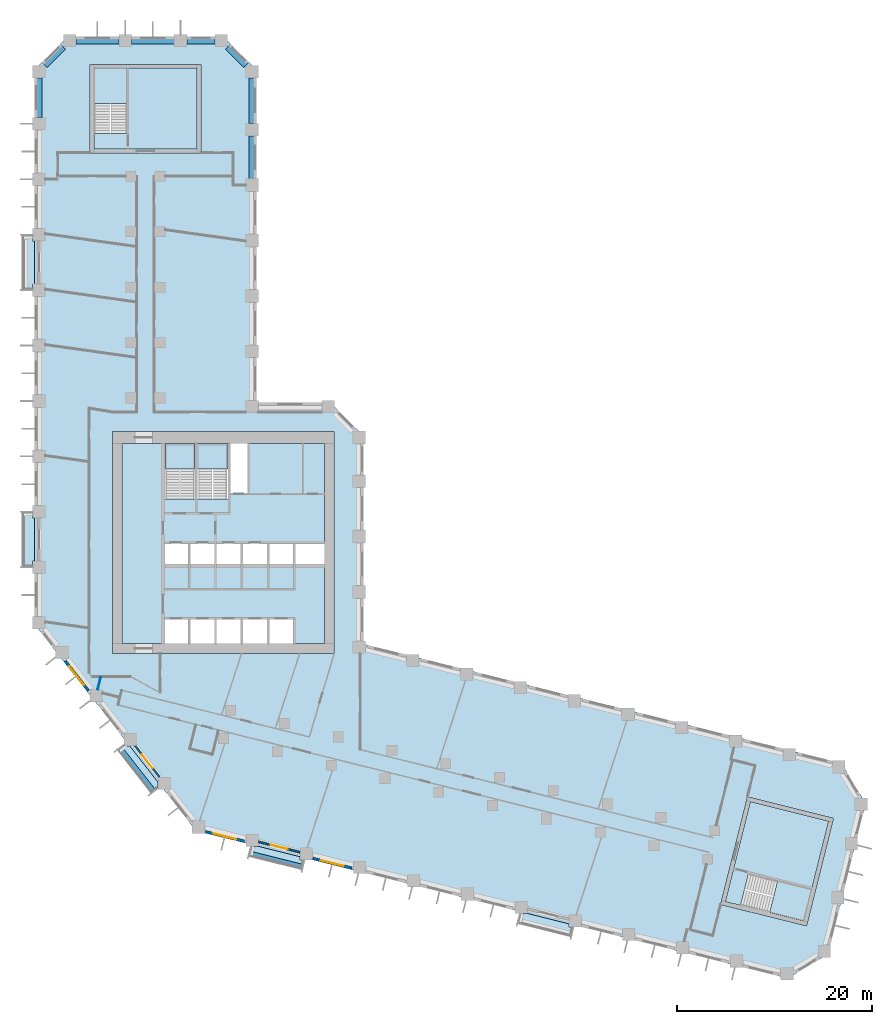
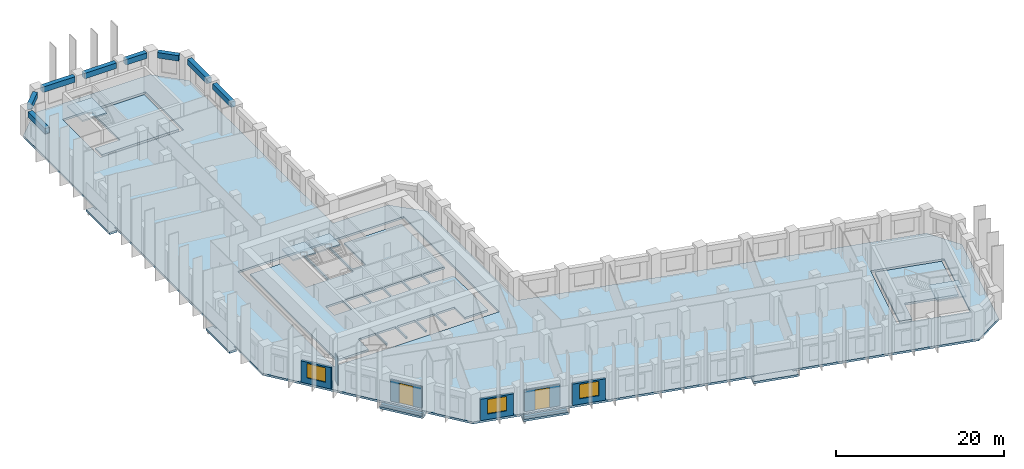
# One storey, part 2 of 11: 13 slabs, 8 beams, 8 walls, 3 windows, 2 doors, 5 openings, 4 elements without a shape of their own.
"""IFC4 building model written with IfcOpenShell, lengths in metres."""

from ifc_helpers import new_model, si_unit, direction, frame, frame_2d, origin, origin_2d, place, context, subcontext, project, spatial, polyline, rectangle, outline, extrude, material, layer, layer_set, material_profile, profile_set, type_object, element, fill, aggregate, save


model = new_model("IFC4")

# Units and contexts
model_context = context("Model", 3, precision=1e-05, world=origin(), true_north=direction((0.0, 1.0)))
body_context = subcontext(model_context, "Body", "Model", "MODEL_VIEW")
ifc_project = project(units=[si_unit("LENGTHUNIT", "METRE"), si_unit("AREAUNIT", "SQUARE_METRE"), si_unit("VOLUMEUNIT", "CUBIC_METRE"), si_unit("PLANEANGLEUNIT", "RADIAN"), si_unit("MASSUNIT", "GRAM", prefix="KILO")], contexts=[model_context])

# Site, building, storey
site_placement = place(None, origin())
site = spatial("IfcSite", under=ifc_project, at=site_placement, CompositionType="ELEMENT")
building_placement = place(site_placement, origin())
building = spatial("IfcBuilding", under=site, at=building_placement, Name="Meshkara Civic Tower", CompositionType="ELEMENT")
storey_placement = place(building_placement, frame((0.0, 0.0, 147.60009765625)))
storey = spatial("IfcBuildingStorey", under=building, at=storey_placement, Name="L33", CompositionType="ELEMENT", Elevation=147.60009765625)

# Beams
ifc_material_1 = material(Name="Concrete C70", Category="concrete")
ifc_material_profile = material_profile(ifc_material_1, rectangle(XDim=0.60009765625, YDim=0.800048828125, at=origin_2d()))
ifc_profile_set = profile_set([ifc_material_profile], Name="Concrete C70")
beam_type = type_object("IfcBeamType", Name="Spandrel beam RC 600x800 C70", PredefinedType="BEAM", material=ifc_profile_set)
beam_1_placement = place(storey_placement, frame((22.35009765625, 62.89501953125, 3.5), z_axis=(0.0, 1.0, 0.0), x_axis=(-1.0, 0.0, 0.0)))
element("IfcBeam", 1, at=beam_1_placement, inside=storey, type_object=beam_type, Name="Spandrel beam AE04-AE05", PredefinedType="BEAM", context=body_context, shape_type="SweptSolid", body=[
    extrude(rectangle(XDim=0.60009765625, YDim=0.800048828125, at=origin_2d()), origin(), (0.0, 0.0, 1.0), 4.409912109375),
])
beam_2_placement = place(storey_placement, frame((22.35009765625, 68.594970703125, 3.5), z_axis=(0.0, 1.0, 0.0), x_axis=(-1.0, 0.0, 0.0)))
element("IfcBeam", 2, at=beam_2_placement, inside=storey, type_object=beam_type, Name="Spandrel beam AE05-AEEP1", PredefinedType="BEAM", context=body_context, shape_type="SweptSolid", body=[
    extrude(rectangle(XDim=0.60009765625, YDim=0.800048828125, at=origin_2d()), origin(), (0.0, 0.0, 1.0), 4.674072265625),
])
beam_3_placement = place(storey_placement, frame((21.70361328125, 74.560546875, 3.5), z_axis=(-0.707106781187, 0.707106781187, 0.0), x_axis=(-0.707106781187, -0.707106781187, 0.0)))
element("IfcBeam", 3, at=beam_3_placement, inside=storey, type_object=beam_type, Name="Spandrel beam AEEP1-ATiEP1", PredefinedType="BEAM", context=body_context, shape_type="SweptSolid", body=[
    extrude(rectangle(XDim=0.60009765625, YDim=0.800048828125, at=origin_2d()), origin(), (0.0, 0.0, 1.0), 2.634765625),
])
beam_4_placement = place(storey_placement, frame((18.549072265625, 77.070068359375, 3.5), z_axis=(-1.0, 0.0, 0.0), x_axis=(0.0, -1.0, 0.0)))
element("IfcBeam", 4, at=beam_4_placement, inside=storey, type_object=beam_type, Name="Spandrel beam AT02-P1-ATiEP1", PredefinedType="BEAM", context=body_context, shape_type="SweptSolid", body=[
    extrude(rectangle(XDim=0.60009765625, YDim=0.800048828125, at=origin_2d()), origin(), (0.0, 0.0, 1.0), 2.898193359375),
])
beam_5_placement = place(storey_placement, frame((14.361083984375, 77.070068359375, 3.5), z_axis=(-1.0, 0.0, 0.0), x_axis=(0.0, -1.0, 0.0)))
element("IfcBeam", 5, at=beam_5_placement, inside=storey, type_object=beam_type, Name="Spandrel beam AT01-P1-AT02-P1", PredefinedType="BEAM", context=body_context, shape_type="SweptSolid", body=[
    extrude(rectangle(XDim=0.60009765625, YDim=0.800048828125, at=origin_2d()), origin(), (0.0, 0.0, 1.0), 4.41015625),
])
beam_6_placement = place(storey_placement, frame((8.660888671875, 77.070068359375, 3.5), z_axis=(-1.0, 0.0, 0.0), x_axis=(0.0, -1.0, 0.0)))
element("IfcBeam", 6, at=beam_6_placement, inside=storey, type_object=beam_type, Name="Spandrel beam AT00-P1-AT01-P1", PredefinedType="BEAM", context=body_context, shape_type="SweptSolid", body=[
    extrude(rectangle(XDim=0.60009765625, YDim=0.800048828125, at=origin_2d()), origin(), (0.0, 0.0, 1.0), 4.409912109375),
])
beam_7_placement = place(storey_placement, frame((2.95947265625, 76.423583984375, 3.5), z_axis=(-0.707106781187, -0.707106781187, 0.0), x_axis=(0.707106781187, -0.707106781187, 0.0)))
element("IfcBeam", 7, at=beam_7_placement, inside=storey, type_object=beam_type, Name="Spandrel beam AT00-P1-ATo00-P1", PredefinedType="BEAM", context=body_context, shape_type="SweptSolid", body=[
    extrude(rectangle(XDim=0.60009765625, YDim=0.800048828125, at=origin_2d()), origin(), (0.0, 0.0, 1.0), 2.634765625),
])
beam_8_placement = place(storey_placement, frame((0.449951171875, 73.26904296875, 3.5), z_axis=(0.0, -1.0, 0.0), x_axis=(1.0, 0.0, 0.0)))
element("IfcBeam", 8, at=beam_8_placement, inside=storey, type_object=beam_type, Name="Spandrel beam ATo00-P1-AW09", PredefinedType="BEAM", context=body_context, shape_type="SweptSolid", body=[
    extrude(rectangle(XDim=0.60009765625, YDim=0.800048828125, at=origin_2d()), origin(), (0.0, 0.0, 1.0), 4.069091796875),
])

# Slabs
ifc_material_2 = material(Name="Concrete C40", Category="concrete")
ifc_layer_1 = layer(ifc_material_2, 0.300048828125)
ifc_layer_set_1 = layer_set([ifc_layer_1], Name="BALCONY SLAB")
slab_type_1 = type_object("IfcSlabType", Name="BALCONY SLAB", PredefinedType="FLOOR", material=ifc_layer_set_1)
slab_1_placement = place(storey_placement, frame((0.0, 0.0, -0.300048828125)))
element("IfcSlab", 9, at=slab_1_placement, inside=storey, type_object=slab_type_1, Name="Balcony slab", PredefinedType="FLOOR", context=body_context, shape_type="SweptSolid", body=[
    extrude(outline(polyline([(-1.199951171875, 51.514892578125), (-1.199951171875, 57.094970703125), (-0.199951171875, 57.094970703125), (-0.199951171875, 56.5048828125), (0.0, 56.5048828125), (0.0, 52.10498046875), (-0.199951171875, 52.10498046875), (-0.199951171875, 51.514892578125), (-1.199951171875, 51.514892578125)])), origin(), (0.0, 0.0, 1.0), 0.300048828125),
])
slab_2_placement = place(storey_placement, frame((0.0, 0.0, -0.300048828125)))
element("IfcSlab", 10, at=slab_2_placement, inside=storey, type_object=slab_type_1, Name="Balcony slab", PredefinedType="FLOOR", context=body_context, shape_type="SweptSolid", body=[
    extrude(outline(polyline([(-1.199951171875, 23.014892578125), (-1.199951171875, 28.594970703125), (-0.199951171875, 28.594970703125), (-0.199951171875, 28.0048828125), (0.0, 28.0048828125), (0.0, 23.60498046875), (-0.199951171875, 23.60498046875), (-0.199951171875, 23.014892578125), (-1.199951171875, 23.014892578125)])), origin(), (0.0, 0.0, 1.0), 0.300048828125),
])
slab_3_placement = place(storey_placement, frame((0.0, 0.0, -0.300048828125)))
element("IfcSlab", 11, at=slab_3_placement, inside=storey, type_object=slab_type_1, Name="Balcony slab", PredefinedType="FLOOR", context=body_context, shape_type="SweptSolid", body=[
    extrude(outline(polyline([(12.0048828125, -0.215087890625), (8.570068359375, 4.181884765625), (9.18310546875, 4.660888671875), (9.18310546875, 4.594970703125), (9.77001953125, 4.594970703125), (12.69189453125, 0.85498046875), (12.69189453125, 0.322021484375), (12.0048828125, -0.215087890625)])), origin(), (0.0, 0.0, 1.0), 0.300048828125),
])
slab_4_placement = place(storey_placement, frame((0.0, 0.0, -0.300048828125)))
element("IfcSlab", 12, at=slab_4_placement, inside=storey, type_object=slab_type_1, Name="Balcony slab", PredefinedType="FLOOR", context=body_context, shape_type="SweptSolid", body=[
    extrude(outline(polyline([(27.455078125, -8.08203125), (22.041015625, -6.73193359375), (22.281982421875, -5.76708984375), (23.031982421875, -5.76708984375), (23.031982421875, -5.742919921875), (27.261962890625, -6.797119140625), (27.261962890625, -7.14599609375), (27.68798828125, -7.14599609375), (27.455078125, -8.08203125)])), origin(), (0.0, 0.0, 1.0), 0.300048828125),
])
slab_5_placement = place(storey_placement, frame((0.0, 0.0, -0.300048828125)))
element("IfcSlab", 13, at=slab_5_placement, inside=storey, type_object=slab_type_1, Name="Balcony slab", PredefinedType="FLOOR", context=body_context, shape_type="SweptSolid", body=[
    extrude(outline(polyline([(55.10888671875, -14.97705078125), (49.694091796875, -13.626953125), (49.93505859375, -12.660888671875), (50.68505859375, -12.660888671875), (50.68505859375, -12.636962890625), (54.916015625, -13.69189453125), (54.916015625, -14.0400390625), (55.342041015625, -14.0400390625), (55.10888671875, -14.97705078125)])), origin(), (0.0, 0.0, 1.0), 0.300048828125),
])
ifc_material_3 = material(Name="Concrete C40/50", Category="concrete")
ifc_layer_2 = layer(ifc_material_3, 0.300048828125)
ifc_layer_set_2 = layer_set([ifc_layer_2], Name="Core floor slab 300 C40/50")
slab_type_2 = type_object("IfcSlabType", Name="Core floor slab 300 C40/50", PredefinedType="FLOOR", material=ifc_layer_set_2)
slab_6_placement = place(storey_placement, frame((0.0, 0.0, -0.300048828125)))
element("IfcSlab", 14, at=slab_6_placement, inside=storey, type_object=slab_type_2, Name="Core floor K", PredefinedType="FLOOR", context=body_context, shape_type="SweptSolid", body=[
    extrude(outline(polyline([(9.0, 35.699951171875), (13.39990234375, 35.699951171875), (13.39990234375, 30.00146484375), (16.5, 30.00146484375), (16.5, 35.699951171875), (16.699951171875, 35.699951171875), (16.699951171875, 30.00146484375), (19.89990234375, 30.00146484375), (19.89990234375, 35.699951171875), (20.10009765625, 35.699951171875), (20.10009765625, 30.574951171875), (21.925048828125, 30.574951171875), (21.925048828125, 35.699951171875), (29.800048828125, 35.699951171875), (29.800048828125, 25.39990234375), (26.800048828125, 25.39990234375), (26.800048828125, 23.300048828125), (29.800048828125, 23.300048828125), (29.800048828125, 15.10009765625), (26.60009765625, 15.10009765625), (26.60009765625, 17.60009765625), (24.10009765625, 17.60009765625), (24.10009765625, 15.10009765625), (23.89990234375, 15.10009765625), (23.89990234375, 17.60009765625), (21.39990234375, 17.60009765625), (21.39990234375, 15.10009765625), (21.199951171875, 15.10009765625), (21.199951171875, 17.60009765625), (18.699951171875, 17.60009765625), (18.699951171875, 15.10009765625), (18.5, 15.10009765625), (18.5, 17.60009765625), (16.0, 17.60009765625), (16.0, 15.10009765625), (15.800048828125, 15.10009765625), (15.800048828125, 17.60009765625), (13.39990234375, 17.60009765625), (13.39990234375, 15.10009765625), (9.0, 15.10009765625), (9.0, 35.699951171875)]), holes=[polyline([(15.800048828125, 23.300048828125), (15.800048828125, 25.39990234375), (13.39990234375, 25.39990234375), (13.39990234375, 23.300048828125), (15.800048828125, 23.300048828125)]), polyline([(16.0, 25.39990234375), (16.0, 23.300048828125), (18.5, 23.300048828125), (18.5, 25.39990234375), (16.0, 25.39990234375)]), polyline([(18.699951171875, 25.39990234375), (18.699951171875, 23.300048828125), (21.199951171875, 23.300048828125), (21.199951171875, 25.39990234375), (18.699951171875, 25.39990234375)]), polyline([(21.39990234375, 23.300048828125), (23.89990234375, 23.300048828125), (23.89990234375, 25.39990234375), (21.39990234375, 25.39990234375), (21.39990234375, 23.300048828125)]), polyline([(26.60009765625, 23.300048828125), (26.60009765625, 25.39990234375), (24.10009765625, 25.39990234375), (24.10009765625, 23.300048828125), (26.60009765625, 23.300048828125)])]), origin(), (0.0, 0.0, 1.0), 0.300048828125),
])
slab_7_placement = place(storey_placement, frame((0.0, 0.0, -0.300048828125)))
element("IfcSlab", 15, at=slab_7_placement, inside=storey, type_object=slab_type_2, Name="Core floor EA", PredefinedType="FLOOR", context=body_context, shape_type="SweptSolid", body=[
    extrude(outline(polyline([(16.699951171875, 65.969970703125), (16.699951171875, 74.27001953125), (9.5, 74.27001953125), (9.5, 67.571533203125), (6.10009765625, 67.571533203125), (6.10009765625, 65.969970703125), (16.699951171875, 65.969970703125)])), origin(), (0.0, 0.0, 1.0), 0.300048828125),
])
slab_8_placement = place(storey_placement, frame((0.0, 0.0, -0.300048828125)))
element("IfcSlab", 16, at=slab_8_placement, inside=storey, type_object=slab_type_2, Name="Core floor EB", PredefinedType="FLOOR", context=body_context, shape_type="SweptSolid", body=[
    extrude(outline(polyline([(73.581298828125, -1.134521484375), (81.634521484375, -3.142578125), (79.892822265625, -10.128662109375), (73.393310546875, -8.508056640625), (72.57080078125, -11.80712890625), (71.016845703125, -11.419677734375), (73.581298828125, -1.134521484375)])), origin(), (0.0, 0.0, 1.0), 0.300048828125),
])

# Stair, slab
ifc_material_4 = material(Name="Precast concrete C40/50", Category="concrete")
stair_type_1 = type_object("IfcStairType", Name="Exit stair half-turn 24 risers precast", PredefinedType="HALF_TURN_STAIR", material=ifc_material_4)
stair_1_placement = place(storey_placement, origin())
stair_1 = element("IfcStair", 17, at=stair_1_placement, inside=storey, type_object=stair_type_1, Name="L33 exit stair 1", PredefinedType="HALF_TURN_STAIR")
ifc_material_5 = material(Name="Precast concrete C40/50", Category="concrete")
ifc_layer_3 = layer(ifc_material_5, 0.199951171875)
ifc_layer_set_3 = layer_set([ifc_layer_3], Name="Exit stair landing 200")
slab_type_3 = type_object("IfcSlabType", Name="Exit stair landing 200", PredefinedType="LANDING", material=ifc_layer_set_3)
slab_9_placement = place(storey_placement, frame((0.0, 0.0, 1.89990234375)))
slab_9 = element("IfcSlab", 18, at=slab_9_placement, type_object=slab_type_3, Name="ST1 landing 1", PredefinedType="LANDING", context=body_context, shape_type="SweptSolid", body=[
    extrude(outline(polyline([(16.5, 33.07861328125), (16.5, 35.699951171875), (13.39990234375, 35.699951171875), (13.39990234375, 33.07861328125), (16.5, 33.07861328125)])), origin(), (0.0, 0.0, 1.0), 0.199951171875),
])
aggregate(stair_1, [slab_9])

stair_2_placement = place(storey_placement, origin())
stair_2 = element("IfcStair", 19, at=stair_2_placement, inside=storey, type_object=stair_type_1, Name="L33 exit stair 2", PredefinedType="HALF_TURN_STAIR")
slab_10_placement = place(storey_placement, frame((0.0, 0.0, 1.89990234375)))
slab_10 = element("IfcSlab", 20, at=slab_10_placement, type_object=slab_type_3, Name="ST2 landing 1", PredefinedType="LANDING", context=body_context, shape_type="SweptSolid", body=[
    extrude(outline(polyline([(19.89990234375, 33.07861328125), (19.89990234375, 35.699951171875), (16.699951171875, 35.699951171875), (16.699951171875, 33.07861328125), (19.89990234375, 33.07861328125)])), origin(), (0.0, 0.0, 1.0), 0.199951171875),
])
aggregate(stair_2, [slab_10])

ifc_material_6 = material(Name="Precast concrete C40/50", Category="concrete")
stair_type_2 = type_object("IfcStairType", Name="Exit stair half-turn 24 risers 1600 precast", PredefinedType="HALF_TURN_STAIR", material=ifc_material_6)
stair_3_placement = place(storey_placement, origin())
stair_3 = element("IfcStair", 21, at=stair_3_placement, inside=storey, type_object=stair_type_2, Name="L33 exit stair A from L20", PredefinedType="HALF_TURN_STAIR")
slab_11_placement = place(storey_placement, frame((0.0, 0.0, 1.89990234375)))
slab_11 = element("IfcSlab", 22, at=slab_11_placement, type_object=slab_type_3, Name="ESA2 landing 1", PredefinedType="LANDING", context=body_context, shape_type="SweptSolid", body=[
    extrude(outline(polyline([(9.5, 70.6484375), (9.5, 74.27001953125), (6.10009765625, 74.27001953125), (6.10009765625, 70.6484375), (9.5, 70.6484375)])), origin(), (0.0, 0.0, 1.0), 0.199951171875),
])
aggregate(stair_3, [slab_11])

stair_4_placement = place(storey_placement, origin())
stair_4 = element("IfcStair", 23, at=stair_4_placement, inside=storey, type_object=stair_type_2, Name="L33 exit stair B from L20", PredefinedType="HALF_TURN_STAIR")
slab_12_placement = place(storey_placement, frame((0.0, 0.0, 1.89990234375)))
slab_12 = element("IfcSlab", 24, at=slab_12_placement, type_object=slab_type_3, Name="ESB2 landing 1", PredefinedType="LANDING", context=body_context, shape_type="SweptSolid", body=[
    extrude(outline(polyline([(75.5556640625, -12.55224609375), (79.06982421875, -13.428955078125), (79.89306640625, -10.12890625), (76.379150390625, -9.25244140625), (75.5556640625, -12.55224609375)])), origin(), (0.0, 0.0, 1.0), 0.199951171875),
])
aggregate(stair_4, [slab_12])

# Slab
ifc_material_7 = material(Name="Concrete C50", Category="concrete")
ifc_layer_4 = layer(ifc_material_7, 0.300048828125)
ifc_layer_set_4 = layer_set([ifc_layer_4], Name="Post-tensioned flat slab 300 C50")
slab_type_4 = type_object("IfcSlabType", Name="Post-tensioned flat slab 300 C50", PredefinedType="FLOOR", material=ifc_layer_set_4)
slab_13_placement = place(storey_placement, frame((0.0, 0.0, -0.300048828125)))
element("IfcSlab", 25, at=slab_13_placement, inside=storey, type_object=slab_type_4, Name="Post-tensioned flat slab L33", PredefinedType="FLOOR", context=body_context, shape_type="SweptSolid", body=[
    extrude(outline(polyline([(81.574951171875, -16.81396484375), (77.429931640625, -19.304931640625), (16.592041015625, -4.136962890625), (0.0, 17.10009765625), (0.0, 74.10009765625), (3.419921875, 77.52001953125), (19.3798828125, 77.52001953125), (22.800048828125, 74.10009765625), (22.800048828125, 39.89990234375), (30.3798828125, 39.89990234375), (33.800048828125, 36.47998046875), (33.800048828125, 15.071044921875), (82.945068359375, 2.81689453125), (85.43603515625, -1.327880859375), (81.574951171875, -16.81396484375)]), holes=[polyline([(79.362060546875, -13.9130859375), (82.1201171875, -2.85107421875), (73.2900390625, -0.64990234375), (70.531982421875, -11.7109375), (79.362060546875, -13.9130859375)]), polyline([(8.0, 14.10009765625), (30.800048828125, 14.10009765625), (30.800048828125, 36.89990234375), (8.0, 36.89990234375), (8.0, 14.10009765625)]), polyline([(5.699951171875, 74.669921875), (5.699951171875, 65.570068359375), (17.10009765625, 65.570068359375), (17.10009765625, 74.669921875), (5.699951171875, 74.669921875)])]), origin(), (0.0, 0.0, 1.0), 0.300048828125),
])

# Wall, opening, window
ifc_material_8 = material(Name="Insulated infill panel with bronze anodised aluminium cladding", Category="aluminium")
ifc_layer_5 = layer(ifc_material_8, 0.300048828125)
ifc_layer_set_5 = layer_set([ifc_layer_5], Name="EXTERNAL INFILL WALL 300")
wall_type_1 = type_object("IfcWallType", Name="EXTERNAL INFILL WALL 300", PredefinedType="SOLIDWALL", material=ifc_layer_set_5)
wall_1_placement = place(storey_placement, frame((3.138916015625, 13.324951171875, 0.0), z_axis=(0.0, 0.0, 1.0), x_axis=(0.615779754703, -0.787918329332, 0.0)))
wall_1 = element("IfcWall", 26, at=wall_1_placement, inside=storey, type_object=wall_type_1, Name="External wall", PredefinedType="SOLIDWALL", context=body_context, shape_type="SweptSolid", body=[
    extrude(rectangle(XDim=3.874755859375, YDim=0.300048828125, at=frame_2d((1.9375, 0.0))), origin(), (0.0, 0.0, 1.0), 3.099853515625),
])
opening_1_placement = place(wall_1_placement, frame((0.738037109375, 0.0, 0.800048828125)))
opening_1 = element("IfcOpeningElement", 27, at=opening_1_placement, cuts=wall_1, Name="Opening W7", PredefinedType="OPENING", context=body_context, shape_type="SweptSolid", body=[
    extrude(rectangle(XDim=2.39990234375, YDim=2.10009765625, at=frame_2d((1.199951171875, 1.050048828125))), frame((0.0, 0.159912109375, 0.0), z_axis=(0.0, -1.0, 0.0), x_axis=(1.0, 0.0, 0.0)), (0.0, 0.0, 1.0), 0.320068359375),
])
ifc_material_9 = material(Name="Tinted double glazing", Category="glass")
window_type = type_object("IfcWindowType", Name="WINDOW 2400x2100", PartitioningType="DOUBLE_PANEL_VERTICAL", PredefinedType="WINDOW", material=ifc_material_9)
window_1_placement = place(opening_1_placement, origin())
window_1 = element("IfcWindow", 28, at=window_1_placement, inside=storey, type_object=window_type, Name="Window", OverallHeight=2.10009765625, OverallWidth=2.39990234375, PartitioningType="DOUBLE_PANEL_VERTICAL", PredefinedType="WINDOW", context=body_context, shape_type="SweptSolid", body=[
    extrude(rectangle(XDim=2.39990234375, YDim=2.10009765625, at=frame_2d((1.199951171875, 1.050048828125))), frame((0.0, 0.030029296875, 0.0), z_axis=(0.0, -1.0, 0.0), x_axis=(1.0, 0.0, 0.0)), (0.0, 0.0, 1.0), 0.06005859375),
])
fill(opening_1, window_1)

wall_2_placement = place(storey_placement, frame((17.54296875, -4.219970703125, 0.0), z_axis=(0.0, 0.0, 1.0), x_axis=(0.970337184445, -0.241755555227, 0.0)))
wall_2 = element("IfcWall", 29, at=wall_2_placement, inside=storey, type_object=wall_type_1, Name="External wall", PredefinedType="SOLIDWALL", context=body_context, shape_type="SweptSolid", body=[
    extrude(rectangle(XDim=4.124267578125, YDim=0.300048828125, at=frame_2d((2.06201171875, 0.0))), origin(), (0.0, 0.0, 1.0), 3.099853515625),
])
opening_2_placement = place(wall_2_placement, frame((0.862060546875, 0.0, 0.800048828125)))
opening_2 = element("IfcOpeningElement", 30, at=opening_2_placement, cuts=wall_2, Name="Opening W7", PredefinedType="OPENING", context=body_context, shape_type="SweptSolid", body=[
    extrude(rectangle(XDim=2.39990234375, YDim=2.10009765625, at=frame_2d((1.199951171875, 1.050048828125))), frame((0.0, 0.159912109375, 0.0), z_axis=(0.0, -1.0, 0.0), x_axis=(1.0, 0.0, 0.0)), (0.0, 0.0, 1.0), 0.320068359375),
])
window_2_placement = place(opening_2_placement, origin())
window_2 = element("IfcWindow", 31, at=window_2_placement, inside=storey, type_object=window_type, Name="Window", OverallHeight=2.10009765625, OverallWidth=2.39990234375, PartitioningType="DOUBLE_PANEL_VERTICAL", PredefinedType="WINDOW", context=body_context, shape_type="SweptSolid", body=[
    extrude(rectangle(XDim=2.39990234375, YDim=2.10009765625, at=frame_2d((1.199951171875, 1.050048828125))), frame((0.0, 0.030029296875, 0.0), z_axis=(0.0, -1.0, 0.0), x_axis=(1.0, 0.0, 0.0)), (0.0, 0.0, 1.0), 0.06005859375),
])
fill(opening_2, window_2)

wall_3_placement = place(storey_placement, frame((28.60400390625, -6.97705078125, 0.0), z_axis=(0.0, 0.0, 1.0), x_axis=(0.970281616392, -0.241978480223, 0.0)))
wall_3 = element("IfcWall", 32, at=wall_3_placement, inside=storey, type_object=wall_type_1, Name="External wall", PredefinedType="SOLIDWALL", context=body_context, shape_type="SweptSolid", body=[
    extrude(rectangle(XDim=4.12451171875, YDim=0.300048828125, at=frame_2d((2.062255859375, 0.0))), origin(), (0.0, 0.0, 1.0), 3.099853515625),
])
opening_3_placement = place(wall_3_placement, frame((0.862060546875, 0.0, 0.800048828125)))
opening_3 = element("IfcOpeningElement", 33, at=opening_3_placement, cuts=wall_3, Name="Opening W7", PredefinedType="OPENING", context=body_context, shape_type="SweptSolid", body=[
    extrude(rectangle(XDim=2.39990234375, YDim=2.10009765625, at=frame_2d((1.199951171875, 1.050048828125))), frame((0.0, 0.159912109375, 0.0), z_axis=(0.0, -1.0, 0.0), x_axis=(1.0, 0.0, 0.0)), (0.0, 0.0, 1.0), 0.320068359375),
])
window_3_placement = place(opening_3_placement, origin())
window_3 = element("IfcWindow", 34, at=window_3_placement, inside=storey, type_object=window_type, Name="Window", OverallHeight=2.10009765625, OverallWidth=2.39990234375, PartitioningType="DOUBLE_PANEL_VERTICAL", PredefinedType="WINDOW", context=body_context, shape_type="SweptSolid", body=[
    extrude(rectangle(XDim=2.39990234375, YDim=2.10009765625, at=frame_2d((1.199951171875, 1.050048828125))), frame((0.0, 0.030029296875, 0.0), z_axis=(0.0, -1.0, 0.0), x_axis=(1.0, 0.0, 0.0)), (0.0, 0.0, 1.0), 0.06005859375),
])
fill(opening_3, window_3)

# Wall, opening, door
ifc_material_10 = material(Name="Insulated infill panel with bronze anodised aluminium cladding", Category="aluminium")
ifc_layer_6 = layer(ifc_material_10, 0.199951171875)
ifc_layer_set_6 = layer_set([ifc_layer_6], Name="LOGGIA BACK WALL 200")
wall_type_2 = type_object("IfcWallType", Name="LOGGIA BACK WALL 200", PredefinedType="SOLIDWALL", material=ifc_layer_set_6)
wall_4_placement = place(storey_placement, frame((10.341064453125, 4.594970703125, 0.0), z_axis=(0.0, 0.0, 1.0), x_axis=(0.615646382005, -0.788022545569, 0.0)))
wall_4 = element("IfcWall", 35, at=wall_4_placement, inside=storey, type_object=wall_type_2, Name="Loggia wall", PredefinedType="SOLIDWALL", context=body_context, shape_type="SweptSolid", body=[
    extrude(rectangle(XDim=4.04931640625, YDim=0.199951171875, at=frame_2d((2.024658203125, 0.0))), origin(), (0.0, 0.0, 1.0), 3.099853515625),
])
opening_4_placement = place(wall_4_placement, frame((1.1240234375, 0.0, 0.0)))
opening_4 = element("IfcOpeningElement", 36, at=opening_4_placement, cuts=wall_4, Name="Opening L33-L003", PredefinedType="OPENING", context=body_context, shape_type="SweptSolid", body=[
    extrude(rectangle(XDim=1.800048828125, YDim=2.89990234375, at=frame_2d((0.89990234375, 1.449951171875))), frame((0.0, 0.10986328125, 0.0), z_axis=(0.0, -1.0, 0.0), x_axis=(1.0, 0.0, 0.0)), (0.0, 0.0, 1.0), 0.219970703125),
])
ifc_material_11 = material(Name="Tinted double glazing", Category="glass")
door_type = type_object("IfcDoorType", Name="LOGGIA DOOR 1800x2900", OperationType="DOUBLE_DOOR_SINGLE_SWING", PredefinedType="DOOR", material=ifc_material_11)
door_1_placement = place(opening_4_placement, origin())
door_1 = element("IfcDoor", 37, at=door_1_placement, inside=storey, type_object=door_type, Name="L33-L003", OperationType="DOUBLE_DOOR_SINGLE_SWING", OverallHeight=2.89990234375, OverallWidth=1.800048828125, PredefinedType="DOOR", context=body_context, shape_type="SweptSolid", body=[
    extrude(rectangle(XDim=1.800048828125, YDim=2.89990234375, at=frame_2d((0.89990234375, 1.449951171875))), frame((0.0, 0.02490234375, 0.0), z_axis=(0.0, -1.0, 0.0), x_axis=(1.0, 0.0, 0.0)), (0.0, 0.0, 1.0), 0.050048828125),
])
fill(opening_4, door_1)

wall_5_placement = place(storey_placement, frame((23.031982421875, -5.279052734375, 0.0), z_axis=(0.0, 0.0, 1.0), x_axis=(0.970333273122, -0.241771253611, 0.0)))
wall_5 = element("IfcWall", 38, at=wall_5_placement, inside=storey, type_object=wall_type_2, Name="Loggia wall", PredefinedType="SOLIDWALL", context=body_context, shape_type="SweptSolid", body=[
    extrude(rectangle(XDim=4.359375, YDim=0.199951171875, at=frame_2d((2.1796875, 0.0))), origin(), (0.0, 0.0, 1.0), 3.099853515625),
])
opening_5_placement = place(wall_5_placement, frame((1.279052734375, 0.0, 0.0)))
opening_5 = element("IfcOpeningElement", 39, at=opening_5_placement, cuts=wall_5, Name="Opening L33-L004", PredefinedType="OPENING", context=body_context, shape_type="SweptSolid", body=[
    extrude(rectangle(XDim=1.800048828125, YDim=2.89990234375, at=frame_2d((0.89990234375, 1.449951171875))), frame((0.0, 0.10986328125, 0.0), z_axis=(0.0, -1.0, 0.0), x_axis=(1.0, 0.0, 0.0)), (0.0, 0.0, 1.0), 0.219970703125),
])
door_2_placement = place(opening_5_placement, origin())
door_2 = element("IfcDoor", 40, at=door_2_placement, inside=storey, type_object=door_type, Name="L33-L004", OperationType="DOUBLE_DOOR_SINGLE_SWING", OverallHeight=2.89990234375, OverallWidth=1.800048828125, PredefinedType="DOOR", context=body_context, shape_type="SweptSolid", body=[
    extrude(rectangle(XDim=1.800048828125, YDim=2.89990234375, at=frame_2d((0.89990234375, 1.449951171875))), frame((0.0, 0.02490234375, 0.0), z_axis=(0.0, -1.0, 0.0), x_axis=(1.0, 0.0, 0.0)), (0.0, 0.0, 1.0), 0.050048828125),
])
fill(opening_5, door_2)

# Walls
ifc_material_12 = material(Name="Concrete C40", Category="concrete")
ifc_layer_7 = layer(ifc_material_12, 0.39990234375)
ifc_layer_set_7 = layer_set([ifc_layer_7], Name="PLANTER TRAY")
wall_type_3 = type_object("IfcWallType", Name="PLANTER TRAY", PredefinedType="SOLIDWALL", material=ifc_layer_set_7)
wall_6_placement = place(storey_placement, frame((8.889892578125, 4.2919921875, 0.0), z_axis=(0.0, 0.0, 1.0), x_axis=(0.615636085037, -0.788030590016, 0.0)))
element("IfcWall", 41, at=wall_6_placement, inside=storey, type_object=wall_type_3, Name="Planter", PredefinedType="SOLIDWALL", context=body_context, shape_type="SweptSolid", body=[
    extrude(rectangle(XDim=5.35888671875, YDim=0.39990234375, at=frame_2d((2.679443359375, 0.0))), origin(), (0.0, 0.0, 1.0), 0.2998046875),
])
wall_7_placement = place(storey_placement, frame((22.22509765625, -6.447998046875, 0.0), z_axis=(0.0, 0.0, 1.0), x_axis=(0.970268314528, -0.242031811592, 0.0)))
element("IfcWall", 42, at=wall_7_placement, inside=storey, type_object=wall_type_3, Name="Planter", PredefinedType="SOLIDWALL", context=body_context, shape_type="SweptSolid", body=[
    extrude(rectangle(XDim=5.359375, YDim=0.39990234375, at=frame_2d((2.6796875, 0.0))), origin(), (0.0, 0.0, 1.0), 0.2998046875),
])
ifc_material_13 = material(Name="Partition 100")
ifc_layer_8 = layer(ifc_material_13, 0.10009765625)
ifc_layer_set_8 = layer_set([ifc_layer_8], Name="Partition 100")
wall_type_4 = type_object("IfcWallType", Name="Partition 100", PredefinedType="PARTITIONING", material=ifc_layer_set_8)
wall_8_placement = place(storey_placement, frame((6.797119140625, 11.637939453125, 0.0), z_axis=(0.0, 0.0, 1.0), x_axis=(-0.242000927221, -0.970276018061, 0.0)))
element("IfcWall", 43, at=wall_8_placement, inside=storey, type_object=wall_type_4, Name="L33-W034", PredefinedType="PARTITIONING", context=body_context, shape_type="SweptSolid", body=[
    extrude(rectangle(XDim=1.289306640625, YDim=0.10009765625, at=frame_2d((0.64453125, 0.0))), origin(), (0.0, 0.0, 1.0), 3.89990234375),
])

save(model, "model.ifc")
